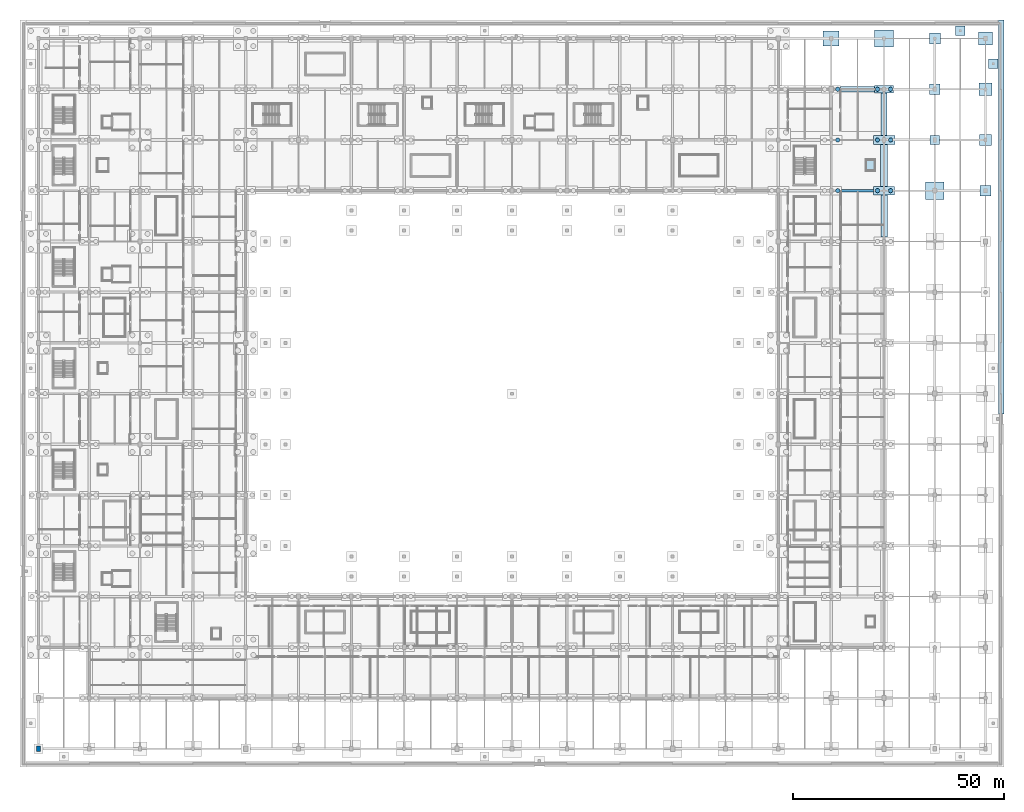
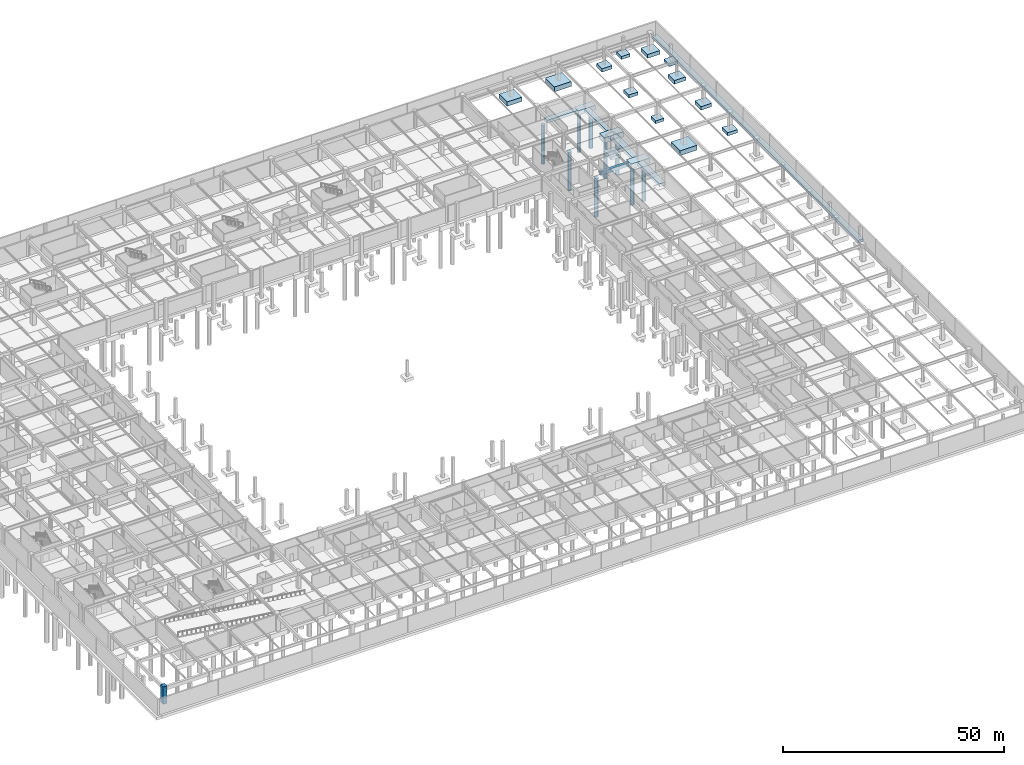
# One storey, part 11 of 56: 22 footings, 9 piles, 1 column.
"""IFC4 building model written with IfcOpenShell, lengths in metres."""

from ifc_helpers import new_model, si_unit, direction, frame, origin, origin_with_axes, origin_2d, place, context, subcontext, project, spatial, polyline, rectangle, circle, outline, extrude, material, material_profile, profile_set, type_object, element, save


model = new_model("IFC4")

# Units and contexts
model_context = context("Model", 3, precision=1e-05, world=origin(), true_north=direction((0.0, 1.0)))
body_context = subcontext(model_context, "Body", "Model", "MODEL_VIEW")
ifc_project = project(units=[si_unit("LENGTHUNIT", "METRE"), si_unit("AREAUNIT", "SQUARE_METRE"), si_unit("VOLUMEUNIT", "CUBIC_METRE"), si_unit("PLANEANGLEUNIT", "RADIAN"), si_unit("MASSUNIT", "GRAM", prefix="KILO")], contexts=[model_context])

# Site, building, storey
site_placement = place(None, origin())
site = spatial("IfcSite", under=ifc_project, at=site_placement, CompositionType="ELEMENT")
building_placement = place(site_placement, origin())
building = spatial("IfcBuilding", under=site, at=building_placement, Name="Kazenohara Klinker Stadium", CompositionType="ELEMENT")
storey_placement = place(building_placement, frame((0.0, 0.0, -4.800048828125)))
storey = spatial("IfcBuildingStorey", under=building, at=storey_placement, Name="B01", CompositionType="ELEMENT", Elevation=-4.800048828125)

# Footings
ifc_material_1 = material(Name="Concrete C35/45", Category="concrete")
footing_type_1 = type_object("IfcFootingType", Name="CAP-PC01", PredefinedType="PILE_CAP", material=ifc_material_1)
footing_1_placement = place(storey_placement, frame((200.0, 156.0, -1.25), z_axis=(0.0, 0.0, 1.0), x_axis=(1.0, 0.0, 0.0)))
element("IfcFooting", 1, at=footing_1_placement, inside=storey, type_object=footing_type_1, Name="Pile cap PC01 at 17/P", PredefinedType="PILE_CAP", context=body_context, shape_type="SweptSolid", body=[
    extrude(rectangle(XDim=4.5, YDim=1.800048828125, at=origin_2d()), origin(), (0.0, 0.0, 1.0), 1.25),
])
footing_type_2 = type_object("IfcFootingType", Name="CAP-PC04", PredefinedType="PILE_CAP", material=ifc_material_1)
footing_2_placement = place(storey_placement, frame((200.0, 132.0, -1.39990234375), z_axis=(0.0, 0.0, 1.0), x_axis=(1.0, 0.0, 0.0)))
element("IfcFooting", 2, at=footing_2_placement, inside=storey, type_object=footing_type_2, Name="Pile cap PC04 at 17/M", PredefinedType="PILE_CAP", context=body_context, shape_type="SweptSolid", body=[
    extrude(rectangle(XDim=4.949951171875, YDim=2.10009765625, at=origin_2d()), origin(), (0.0, 0.0, 1.0), 1.39990234375),
])
footing_type_3 = type_object("IfcFootingType", Name="CAP-PC05", PredefinedType="PILE_CAP", material=ifc_material_1)
footing_3_placement = place(storey_placement, frame((200.0, 144.0, -1.44970703125), z_axis=(0.0, 0.0, 1.0), x_axis=(1.0, 0.0, 0.0)))
element("IfcFooting", 3, at=footing_3_placement, inside=storey, type_object=footing_type_3, Name="Pile cap PC05 at 17/N", PredefinedType="PILE_CAP", context=body_context, shape_type="SweptSolid", body=[
    extrude(rectangle(XDim=5.10009765625, YDim=2.199951171875, at=origin_2d()), origin(), (0.0, 0.0, 1.0), 1.449951171875),
])
footing_type_4 = type_object("IfcFootingType", Name="GBEAM-GB03", PredefinedType="FOOTING_BEAM", material=ifc_material_1)
footing_4_placement = place(storey_placement, frame((0.0, 0.0, -0.9599609375)))
element("IfcFooting", 4, at=footing_4_placement, inside=storey, type_object=footing_type_4, Name="Foundation tie beam GB03 16-17/M", PredefinedType="FOOTING_BEAM", context=body_context, shape_type="SweptSolid", body=[
    extrude(outline(polyline([(189.97509765625, 131.675048828125), (197.52490234375, 131.675048828125), (197.52490234375, 132.324951171875), (189.97509765625, 132.324951171875), (189.97509765625, 131.675048828125)])), origin(), (0.0, 0.0, 1.0), 0.9599609375),
])
footing_type_5 = type_object("IfcFootingType", Name="PAD-PF01", PredefinedType="PAD_FOOTING", material=ifc_material_1)
for number, where, z_axis, x_axis, name in (
    (5, (212.0, 144.0, -0.7998046875), (0.0, 0.0, 1.0), (1.0, 0.0, 0.0), "Spread footing PF01 at 18/N"),
    (6, (225.85009765625, 162.0, -0.7998046875), (0.0, 0.0, 1.0), (1.0, 0.0, 0.0), "Exterior plinth support pad PF01 PLAZA-EAST-3"),
    (7, (218.0, 169.85009765625, -0.7998046875), (0.0, 0.0, 1.0), (1.0, 0.0, 0.0), "Exterior plinth support pad PF01 PLAZA-NORTH-3"),
):
    element("IfcFooting", number, at=place(storey_placement, frame(where, z_axis=z_axis, x_axis=x_axis)), inside=storey, type_object=footing_type_5, Name=name, PredefinedType="PAD_FOOTING", context=body_context, shape_type="SweptSolid", body=[
        extrude(rectangle(XDim=2.199951171875, YDim=2.199951171875, at=origin_2d()), origin(), (0.0, 0.0, 1.0), 0.800048828125),
    ])
footing_type_6 = type_object("IfcFootingType", Name="PAD-PF02", PredefinedType="PAD_FOOTING", material=ifc_material_1)
footing_5_placement = place(storey_placement, frame((212.0, 156.0, -0.85009765625), z_axis=(0.0, 0.0, 1.0), x_axis=(1.0, 0.0, 0.0)))
element("IfcFooting", 8, at=footing_5_placement, inside=storey, type_object=footing_type_6, Name="Spread footing PF02 at 18/P", PredefinedType="PAD_FOOTING", context=body_context, shape_type="SweptSolid", body=[
    extrude(rectangle(XDim=2.39990234375, YDim=2.39990234375, at=origin_2d()), origin(), (0.0, 0.0, 1.0), 0.85009765625),
])
footing_type_7 = type_object("IfcFootingType", Name="PAD-PF03", PredefinedType="PAD_FOOTING", material=ifc_material_1)
for number, where, z_axis, x_axis, name in (
    (9, (212.0, 168.0, -0.89990234375), (0.0, 0.0, 1.0), (1.0, 0.0, 0.0), "Spread footing PF03 at 18/Q"),
    (10, (224.0, 132.0, -0.89990234375), (0.0, 0.0, 1.0), (1.0, 0.0, 0.0), "Spread footing PF03 at 19/M"),
):
    element("IfcFooting", number, at=place(storey_placement, frame(where, z_axis=z_axis, x_axis=x_axis)), inside=storey, type_object=footing_type_7, Name=name, PredefinedType="PAD_FOOTING", context=body_context, shape_type="SweptSolid", body=[
        extrude(rectangle(XDim=2.60009765625, YDim=2.5, at=origin_2d()), origin(), (0.0, 0.0, 1.0), 0.89990234375),
    ])
footing_6_placement = place(storey_placement, frame((0.0, 0.0, -1.5)))
element("IfcFooting", 11, at=footing_6_placement, inside=storey, type_object=footing_type_7, Name="Elevator pit foundation pad LP05", PredefinedType="PAD_FOOTING", context=body_context, shape_type="SweptSolid", body=[
    extrude(outline(polyline([(195.485107421875, 136.43505859375), (198.114990234375, 136.43505859375), (198.114990234375, 139.56494140625), (195.485107421875, 139.56494140625), (195.485107421875, 136.43505859375)])), origin(), (0.0, 0.0, 1.0), 0.85009765625),
])
footing_type_8 = type_object("IfcFootingType", Name="PAD-PF04", PredefinedType="PAD_FOOTING", material=ifc_material_1)
footing_7_placement = place(storey_placement, frame((224.0, 144.0, -0.94970703125), z_axis=(0.0, 0.0, 1.0), x_axis=(1.0, 0.0, 0.0)))
element("IfcFooting", 12, at=footing_7_placement, inside=storey, type_object=footing_type_8, Name="Spread footing PF04 at 19/N", PredefinedType="PAD_FOOTING", context=body_context, shape_type="SweptSolid", body=[
    extrude(rectangle(XDim=2.800048828125, YDim=2.699951171875, at=origin_2d()), origin(), (0.0, 0.0, 1.0), 0.949951171875),
])
footing_type_9 = type_object("IfcFootingType", Name="PAD-PF05", PredefinedType="PAD_FOOTING", material=ifc_material_1)
footing_8_placement = place(storey_placement, frame((224.0, 156.0, -1.0), z_axis=(0.0, 0.0, 1.0), x_axis=(1.0, 0.0, 0.0)))
element("IfcFooting", 13, at=footing_8_placement, inside=storey, type_object=footing_type_9, Name="Spread footing PF05 at 19/P", PredefinedType="PAD_FOOTING", context=body_context, shape_type="SweptSolid", body=[
    extrude(rectangle(XDim=3.0, YDim=2.85009765625, at=origin_2d()), origin(), (0.0, 0.0, 1.0), 1.0),
])
footing_type_10 = type_object("IfcFootingType", Name="PAD-PF06", PredefinedType="PAD_FOOTING", material=ifc_material_1)
footing_9_placement = place(storey_placement, frame((224.0, 168.0, -1.0498046875), z_axis=(0.0, 0.0, 1.0), x_axis=(1.0, 0.0, 0.0)))
element("IfcFooting", 14, at=footing_9_placement, inside=storey, type_object=footing_type_10, Name="Spread footing PF06 at 19/Q", PredefinedType="PAD_FOOTING", context=body_context, shape_type="SweptSolid", body=[
    extrude(rectangle(XDim=3.199951171875, YDim=3.0, at=origin_2d()), origin(), (0.0, 0.0, 1.0), 1.050048828125),
])
footing_type_11 = type_object("IfcFootingType", Name="PAD-PF09", PredefinedType="PAD_FOOTING", material=ifc_material_1)
footing_10_placement = place(storey_placement, frame((187.5, 168.0, -1.19970703125), z_axis=(0.0, 0.0, 1.0), x_axis=(1.0, 0.0, 0.0)))
element("IfcFooting", 15, at=footing_10_placement, inside=storey, type_object=footing_type_11, Name="Spread footing PF09 at 16/Q", PredefinedType="PAD_FOOTING", context=body_context, shape_type="SweptSolid", body=[
    extrude(rectangle(XDim=3.800048828125, YDim=3.60009765625, at=origin_2d()), origin(), (0.0, 0.0, 1.0), 1.199951171875),
])
footing_type_12 = type_object("IfcFootingType", Name="PAD-PF12", PredefinedType="PAD_FOOTING", material=ifc_material_1)
for number, where, z_axis, x_axis, name in (
    (16, (200.0, 168.0, -1.35009765625), (0.0, 0.0, 1.0), (1.0, 0.0, 0.0), "Spread footing PF12 at 17/Q"),
    (17, (212.0, 132.0, -1.35009765625), (0.0, 0.0, 1.0), (1.0, 0.0, 0.0), "Spread footing PF12 at 18/M"),
):
    element("IfcFooting", number, at=place(storey_placement, frame(where, z_axis=z_axis, x_axis=x_axis)), inside=storey, type_object=footing_type_12, Name=name, PredefinedType="PAD_FOOTING", context=body_context, shape_type="SweptSolid", body=[
        extrude(rectangle(XDim=4.39990234375, YDim=4.10009765625, at=origin_2d()), origin(), (0.0, 0.0, 1.0), 1.35009765625),
    ])

# Piles
ifc_material_profile_1 = material_profile(ifc_material_1, circle(Radius=0.5, at=origin_2d()), Name="BORED-PILE-1000")
ifc_profile_set_1 = profile_set([ifc_material_profile_1], Name="Concrete C35/45")
pile_type = type_object("IfcPileType", Name="PILE-P01-1000", PredefinedType="BORED", material=ifc_profile_set_1)
pile_1_placement = place(storey_placement, frame((189.050048828125, 132.0, -1.300048828125), z_axis=(0.0, 0.0, -1.0), x_axis=(1.0, 0.0, 0.0)))
element("IfcPile", 18, at=pile_1_placement, inside=storey, type_object=pile_type, Name="Bored pile P01-1511-2", PredefinedType="BORED", context=body_context, shape_type="SweptSolid", body=[
    extrude(circle(Radius=0.5, at=origin_2d()), origin(), (0.0, 0.0, 1.0), 10.699951171875),
])
pile_2_placement = place(storey_placement, frame((189.050048828125, 144.0, -1.349853515625), z_axis=(0.0, 0.0, -1.0), x_axis=(1.0, 0.0, 0.0)))
element("IfcPile", 19, at=pile_2_placement, inside=storey, type_object=pile_type, Name="Bored pile P01-1512-2", PredefinedType="BORED", context=body_context, shape_type="SweptSolid", body=[
    extrude(circle(Radius=0.5, at=origin_2d()), origin(), (0.0, 0.0, 1.0), 10.64990234375),
])
pile_3_placement = place(storey_placement, frame((189.050048828125, 156.0, -1.14990234375), z_axis=(0.0, 0.0, -1.0), x_axis=(1.0, 0.0, 0.0)))
element("IfcPile", 20, at=pile_3_placement, inside=storey, type_object=pile_type, Name="Bored pile P01-1513-2", PredefinedType="BORED", context=body_context, shape_type="SweptSolid", body=[
    extrude(circle(Radius=0.5, at=origin_2d()), origin(), (0.0, 0.0, 1.0), 10.85009765625),
])
for number, where, z_axis, x_axis, name in (
    (21, (198.449951171875, 132.0, -1.300048828125), (0.0, 0.0, -1.0), (1.0, 0.0, 0.0), "Bored pile P01-1611-1"),
    (22, (201.550048828125, 132.0, -1.300048828125), (0.0, 0.0, -1.0), (1.0, 0.0, 0.0), "Bored pile P01-1611-2"),
):
    element("IfcPile", number, at=place(storey_placement, frame(where, z_axis=z_axis, x_axis=x_axis)), inside=storey, type_object=pile_type, Name=name, PredefinedType="BORED", context=body_context, shape_type="SweptSolid", body=[
        extrude(circle(Radius=0.5, at=origin_2d()), origin(), (0.0, 0.0, 1.0), 10.699951171875),
    ])
for number, where, z_axis, x_axis, name in (
    (23, (198.449951171875, 144.0, -1.349853515625), (0.0, 0.0, -1.0), (1.0, 0.0, 0.0), "Bored pile P01-1612-1"),
    (24, (201.550048828125, 144.0, -1.349853515625), (0.0, 0.0, -1.0), (1.0, 0.0, 0.0), "Bored pile P01-1612-2"),
):
    element("IfcPile", number, at=place(storey_placement, frame(where, z_axis=z_axis, x_axis=x_axis)), inside=storey, type_object=pile_type, Name=name, PredefinedType="BORED", context=body_context, shape_type="SweptSolid", body=[
        extrude(circle(Radius=0.5, at=origin_2d()), origin(), (0.0, 0.0, 1.0), 10.64990234375),
    ])
for number, where, z_axis, x_axis, name in (
    (25, (198.449951171875, 156.0, -1.14990234375), (0.0, 0.0, -1.0), (1.0, 0.0, 0.0), "Bored pile P01-1613-1"),
    (26, (201.550048828125, 156.0, -1.14990234375), (0.0, 0.0, -1.0), (1.0, 0.0, 0.0), "Bored pile P01-1613-2"),
):
    element("IfcPile", number, at=place(storey_placement, frame(where, z_axis=z_axis, x_axis=x_axis)), inside=storey, type_object=pile_type, Name=name, PredefinedType="BORED", context=body_context, shape_type="SweptSolid", body=[
        extrude(circle(Radius=0.5, at=origin_2d()), origin(), (0.0, 0.0, 1.0), 10.85009765625),
    ])

# Footings
footing_type_13 = type_object("IfcFootingType", Name="STRIP-SF01", PredefinedType="STRIP_FOOTING", material=ifc_material_1)
footing_11_placement = place(storey_placement, frame((0.0, 0.0, -0.75)))
element("IfcFooting", 27, at=footing_11_placement, inside=storey, type_object=footing_type_13, Name="Perimeter strip footing SF01 16-17/P", PredefinedType="STRIP_FOOTING", context=body_context, shape_type="SweptSolid", body=[
    extrude(outline(polyline([(189.75, 155.324951171875), (197.75, 155.324951171875), (197.75, 156.675048828125), (189.75, 156.675048828125), (189.75, 155.324951171875)])), origin(), (0.0, 0.0, 1.0), 0.75),
])
footing_12_placement = place(storey_placement, frame((0.0, 0.0, -0.75)))
element("IfcFooting", 28, at=footing_12_placement, inside=storey, type_object=footing_type_13, Name="Perimeter strip footing SF01 17/N-P", PredefinedType="STRIP_FOOTING", context=body_context, shape_type="SweptSolid", body=[
    extrude(outline(polyline([(199.324951171875, 145.10009765625), (200.675048828125, 145.10009765625), (200.675048828125, 155.10009765625), (199.324951171875, 155.10009765625), (199.324951171875, 145.10009765625)])), origin(), (0.0, 0.0, 1.0), 0.75),
])
footing_13_placement = place(storey_placement, frame((0.0, 0.0, -0.75)))
element("IfcFooting", 29, at=footing_13_placement, inside=storey, type_object=footing_type_13, Name="Street plinth strip footing SF01 East-02", PredefinedType="STRIP_FOOTING", context=body_context, shape_type="SweptSolid", body=[
    extrude(outline(polyline([(227.02490234375, 79.219970703125), (228.375, 79.219970703125), (228.375, 172.35009765625), (227.02490234375, 172.35009765625), (227.02490234375, 79.219970703125)])), origin(), (0.0, 0.0, 1.0), 0.75),
])
footing_type_14 = type_object("IfcFootingType", Name="STRIP-SF03", PredefinedType="STRIP_FOOTING", material=ifc_material_1)
footing_14_placement = place(storey_placement, frame((0.0, 0.0, -0.8798828125)))
element("IfcFooting", 30, at=footing_14_placement, inside=storey, type_object=footing_type_14, Name="Perimeter strip footing SF03 17/L-M", PredefinedType="STRIP_FOOTING", context=body_context, shape_type="SweptSolid", body=[
    extrude(outline(polyline([(199.22509765625, 121.0), (200.77490234375, 121.0), (200.77490234375, 130.949951171875), (199.22509765625, 130.949951171875), (199.22509765625, 121.0)])), origin(), (0.0, 0.0, 1.0), 0.8798828125),
])
footing_type_15 = type_object("IfcFootingType", Name="STRIP-SF04", PredefinedType="STRIP_FOOTING", material=ifc_material_1)
footing_15_placement = place(storey_placement, frame((0.0, 0.0, -0.949951171875)))
element("IfcFooting", 31, at=footing_15_placement, inside=storey, type_object=footing_type_15, Name="Perimeter strip footing SF04 17/M-N", PredefinedType="STRIP_FOOTING", context=body_context, shape_type="SweptSolid", body=[
    extrude(outline(polyline([(199.175048828125, 133.050048828125), (200.824951171875, 133.050048828125), (200.824951171875, 142.89990234375), (199.175048828125, 142.89990234375), (199.175048828125, 133.050048828125)])), origin(), (0.0, 0.0, 1.0), 0.949951171875),
])

# Column
ifc_material_2 = material(Name="Concrete C40/50", Category="concrete")
ifc_material_profile_2 = material_profile(ifc_material_2, rectangle(XDim=1.0, YDim=1.199951171875, at=origin_2d()), Name="RC-COL-1200x1000")
ifc_profile_set_2 = profile_set([ifc_material_profile_2], Name="Concrete C40/50")
column_type = type_object("IfcColumnType", Name="COL-RC01", PredefinedType="COLUMN", material=ifc_profile_set_2)
column_placement = place(storey_placement, origin_with_axes())
element("IfcColumn", 32, at=column_placement, inside=storey, type_object=column_type, Name="Column C01 B01 1/A", PredefinedType="COLUMN", context=body_context, shape_type="SweptSolid", body=[
    extrude(rectangle(XDim=1.0, YDim=1.199951171875, at=origin_2d()), origin(), (0.0, 0.0, 1.0), 4.800048828125),
])

save(model, "model.ifc")
